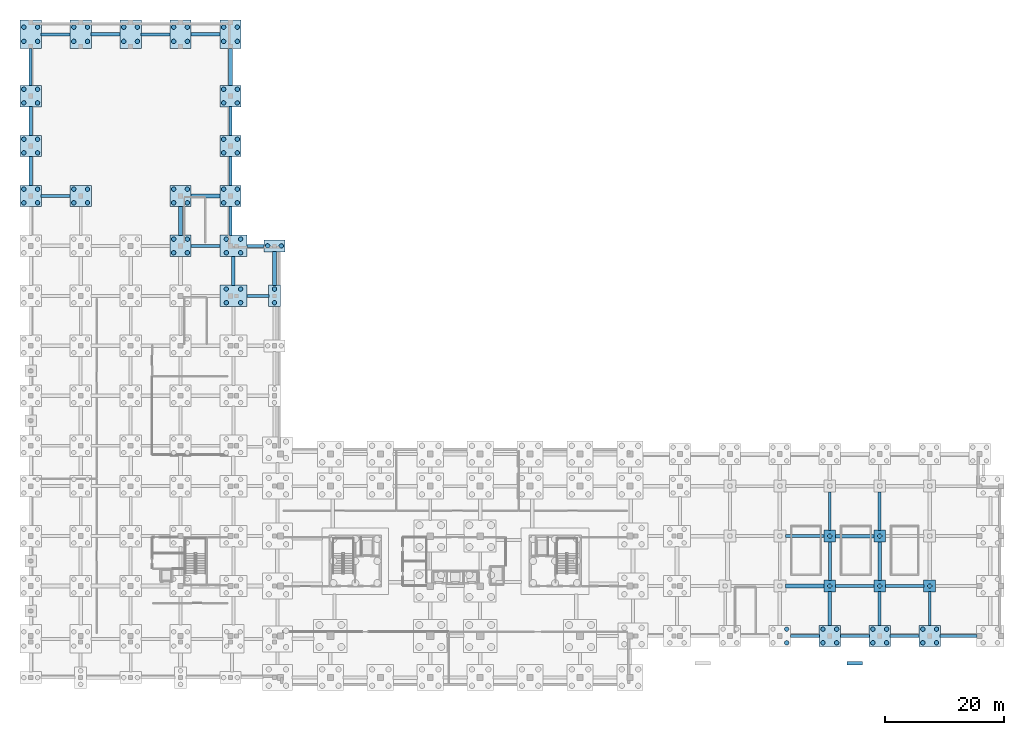
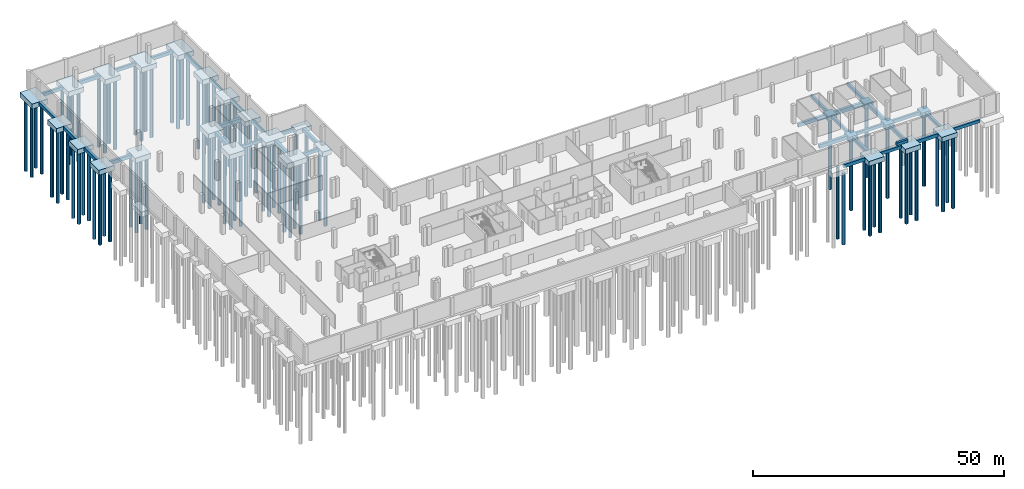
# One storey, part 6 of 17: 87 piles, 62 footings.
"""IFC4 building model written with IfcOpenShell, lengths in metres."""

import ifcopenshell
import ifcopenshell.guid

model = None  # the IFC model being written
_history = None  # IfcOwnerHistory: only IFC2X3 demands one
_inside = {}  # id of a spatial element -> (the spatial element, [elements in it])
_under = {}  # id of a project, library or spatial element -> (it, [spatial elements below it])
_declared = {}  # id of a project -> (the project, [libraries it declares])
_typed = {}  # id of a type object -> (the type object, [elements of that type])
_made_of = {}  # id of a material, layer set ... -> (it, [elements and type objects made of it])


def new_model(schema):
    """Start an empty IFC model of exactly this schema.

    Asked for "IFC4X3", IfcOpenShell would pick the latest addendum, in which some entities
    have other attributes; the version numbers below select the first issue.
    IFC2X3 requires an IfcOwnerHistory on every rooted entity: one is made here for all.
    """
    global model, _history
    if schema == "IFC4X3":
        model = ifcopenshell.file(schema_version=(4, 3, 0, 0))
    else:
        model = ifcopenshell.file(schema=schema)
    _inside.clear()
    _under.clear()
    _declared.clear()
    _typed.clear()
    _made_of.clear()
    _history = None
    if model.schema == "IFC2X3":
        org = make("IfcOrganization", Name="unknown")
        user = make(
            "IfcPersonAndOrganization",
            ThePerson=make("IfcPerson", FamilyName="unknown"),
            TheOrganization=org,
        )
        app = make(
            "IfcApplication",
            ApplicationDeveloper=org,
            Version="unknown",
            ApplicationFullName="unknown",
            ApplicationIdentifier="unknown",
        )
        _history = make(
            "IfcOwnerHistory",
            OwningUser=user,
            OwningApplication=app,
            ChangeAction="ADDED",
            CreationDate=0,
        )
    return model


def make(cls, **values):
    """One entity of the class cls with the attributes given. An attribute that is None is left unset."""
    return model.create_entity(
        cls, **{name: value for name, value in values.items() if value is not None}
    )


def rooted(cls, **values):
    """An entity with a GlobalId (a new one), such as an element, a storey or a relation."""
    return make(cls, GlobalId=ifcopenshell.guid.new(), OwnerHistory=_history, **values)


def si_unit(unit_type, name, prefix=None):
    """IfcSIUnit, for example si_unit("LENGTHUNIT", "METRE", prefix="MILLI")."""
    return make("IfcSIUnit", UnitType=unit_type, Prefix=prefix, Name=name)


def assignment(units):
    """IfcUnitAssignment: the units of a project."""
    return None if units is None else make("IfcUnitAssignment", Units=units)


def point(xyz):
    """IfcCartesianPoint."""
    return None if xyz is None else make("IfcCartesianPoint", Coordinates=xyz)


def direction(xyz):
    """IfcDirection."""
    return None if xyz is None else make("IfcDirection", DirectionRatios=xyz)


def frame(location, z_axis=None, x_axis=None):
    """IfcAxis2Placement3D, a coordinate frame: its origin and axes. An axis left out is left unset."""
    return make(
        "IfcAxis2Placement3D",
        Location=point(location),
        Axis=direction(z_axis),
        RefDirection=direction(x_axis),
    )


def frame_2d(location, x_axis=None):
    """IfcAxis2Placement2D, a coordinate frame in the plane: its origin and x axis."""
    return make(
        "IfcAxis2Placement2D", Location=point(location), RefDirection=direction(x_axis)
    )


def origin():
    """The frame at (0, 0, 0) with its axes left unset."""
    return frame((0.0, 0.0, 0.0))


def origin_2d():
    """The frame at (0, 0) in the plane with its x axis left unset."""
    return frame_2d((0.0, 0.0))


def place(relative_to, where):
    """IfcLocalPlacement: puts the frame where relative to a parent placement (None: the world)."""
    return make(
        "IfcLocalPlacement", PlacementRelTo=relative_to, RelativePlacement=where
    )


def context(
    kind, dimensions, precision=None, world=None, true_north=None, identifier=None
):
    """IfcGeometricRepresentationContext, for example the 3D "Model" context."""
    return make(
        "IfcGeometricRepresentationContext",
        ContextIdentifier=identifier,
        ContextType=kind,
        CoordinateSpaceDimension=dimensions,
        Precision=precision,
        WorldCoordinateSystem=world,
        TrueNorth=true_north,
    )


def subcontext(parent, identifier, kind, view, scale=None):
    """IfcGeometricRepresentationSubContext, for example "Body" below "Model"."""
    return make(
        "IfcGeometricRepresentationSubContext",
        ContextIdentifier=identifier,
        ContextType=kind,
        ParentContext=parent,
        TargetScale=scale,
        TargetView=view,
    )


def project(units=None, contexts=None):
    """IfcProject with its units and contexts."""
    return rooted(
        "IfcProject",
        Name="project",
        RepresentationContexts=contexts,
        UnitsInContext=assignment(units),
    )


def spatial(cls, under=None, at=None, **own):
    """A site, building, storey or space (cls), placed at a placement, below another one or the project."""
    s = rooted(cls, ObjectPlacement=at, **own)
    if under is not None:
        _under.setdefault(under.id(), (under, []))[1].append(s)
    return s


def polyline(points):
    """IfcPolyline through the points."""
    return make("IfcPolyline", Points=[point(p) for p in points])


def profile(cls, at=None, kind="AREA", **sizes):
    """A parametric profile (cls). Its sizes go by their IFC names, for example OverallWidth=200.0."""
    return make(cls, ProfileType=kind, Position=at, **sizes)


def rectangle(**sizes):
    """IfcRectangleProfileDef."""
    return profile("IfcRectangleProfileDef", **sizes)


def circle(**sizes):
    """IfcCircleProfileDef."""
    return profile("IfcCircleProfileDef", **sizes)


def outline(outer, holes=None, kind="AREA"):
    """IfcArbitraryClosedProfileDef: a profile drawn as a closed curve; with holes, ...WithVoids."""
    if holes is None:
        return make("IfcArbitraryClosedProfileDef", ProfileType=kind, OuterCurve=outer)
    return make(
        "IfcArbitraryProfileDefWithVoids",
        ProfileType=kind,
        OuterCurve=outer,
        InnerCurves=holes,
    )


def extrude(swept, where, along, depth):
    """IfcExtrudedAreaSolid: the profile swept, set in the frame where, extruded along a direction by depth."""
    return make(
        "IfcExtrudedAreaSolid",
        SweptArea=swept,
        Position=where,
        ExtrudedDirection=direction(along),
        Depth=depth,
    )


def shape(context_of_items, identifier, shape_type, items):
    """IfcShapeRepresentation: the items that make up one representation, for example the "Body"."""
    return make(
        "IfcShapeRepresentation",
        ContextOfItems=context_of_items,
        RepresentationIdentifier=identifier,
        RepresentationType=shape_type,
        Items=items,
    )


def material(Name=None, Category=None):
    """IfcMaterial."""
    return make("IfcMaterial", Name=Name, Category=Category)


def material_profile(
    of_material, cross_section, Name=None, Category=None, Priority=None
):
    """IfcMaterialProfile: a cross section and its material."""
    return make(
        "IfcMaterialProfile",
        Name=Name,
        Material=of_material,
        Profile=cross_section,
        Priority=Priority,
        Category=Category,
    )


def profile_set(profiles, Name=None, composite=None):
    """IfcMaterialProfileSet."""
    return make(
        "IfcMaterialProfileSet",
        Name=Name,
        MaterialProfiles=profiles,
        CompositeProfile=composite,
    )


def made_of(thing, what):
    """Note that an element or type object is made of a material, layer set ...; save() writes the relation."""
    if what is not None:
        _made_of.setdefault(what.id(), (what, []))[1].append(thing)
    return thing


def type_object(cls, material=None, **own):
    """A type object (cls), such as IfcWallType, which elements share."""
    return made_of(rooted(cls, **own), material)


def element(
    cls,
    number,
    at=None,
    inside=None,
    cuts=None,
    type_object=None,
    material=None,
    context=None,
    identifier="Body",
    shape_type=None,
    held_by="IfcProductDefinitionShape",
    body=None,
    shapes=None,
    **own,
):
    """One element of the class cls, such as IfcWall. Its Tag is "e" and its number.

    at: its placement. inside: the storey or other place that contains it. cuts: it is an
    opening in that element (IfcRelVoidsElement). A single representation is given by context,
    identifier, shape_type and body (its items); several are given by shapes. held_by: the class
    of the entity that holds the representations. save() writes the other relations.
    """
    e = rooted(cls, Tag="e%d" % number, ObjectPlacement=at, **own)
    if body is not None:
        shapes = [shape(context, identifier, shape_type, body)]
    if shapes is not None:
        e.Representation = make(held_by, Representations=shapes)
    if inside is not None:
        _inside.setdefault(inside.id(), (inside, []))[1].append(e)
    if cuts is not None:
        rooted(
            "IfcRelVoidsElement", RelatingBuildingElement=cuts, RelatedOpeningElement=e
        )
    if type_object is not None:
        _typed.setdefault(type_object.id(), (type_object, []))[1].append(e)
    return made_of(e, material)


def aggregate(whole, parts):
    """IfcRelAggregates: a whole, such as a stair, and the parts it consists of."""
    return rooted("IfcRelAggregates", RelatingObject=whole, RelatedObjects=parts)


def save(model, path):
    """Write the relations noted so far, then the file.

    IfcRelAggregates (storeys below a building ...), IfcRelContainedInSpatialStructure (elements
    in a storey), IfcRelDefinesByType, IfcRelAssociatesMaterial and IfcRelDeclares: one each for
    every whole, place, type object, material and project.
    """
    for whole, parts in _under.values():
        aggregate(whole, parts)
    for where, things in _inside.values():
        rooted(
            "IfcRelContainedInSpatialStructure",
            RelatedElements=things,
            RelatingStructure=where,
        )
    for kind, things in _typed.values():
        rooted("IfcRelDefinesByType", RelatedObjects=things, RelatingType=kind)
    for what, things in _made_of.values():
        rooted("IfcRelAssociatesMaterial", RelatedObjects=things, RelatingMaterial=what)
    for by, libraries in _declared.values():
        rooted("IfcRelDeclares", RelatingContext=by, RelatedDefinitions=libraries)
    model.write(path)


model = new_model("IFC4")

# Units and contexts
model_context = context("Model", 3, precision=1e-05, world=origin(), true_north=direction((0.0, 1.0)))
body_context = subcontext(model_context, "Body", "Model", "MODEL_VIEW")
ifc_project = project(units=[si_unit("LENGTHUNIT", "METRE"), si_unit("AREAUNIT", "SQUARE_METRE"), si_unit("VOLUMEUNIT", "CUBIC_METRE"), si_unit("PLANEANGLEUNIT", "RADIAN"), si_unit("MASSUNIT", "GRAM", prefix="KILO")], contexts=[model_context])

# Site, building, storey
site_placement = place(None, origin())
site = spatial("IfcSite", under=ifc_project, at=site_placement, CompositionType="ELEMENT")
building_placement = place(site_placement, origin())
building = spatial("IfcBuilding", under=site, at=building_placement, Name="Telukmera Botanical Conservatory", CompositionType="ELEMENT")
storey_placement = place(building_placement, frame((0.0, 0.0, -4.5)))
storey = spatial("IfcBuildingStorey", under=building, at=storey_placement, Name="B1", CompositionType="ELEMENT", Elevation=-4.5)

# Footings
ifc_material_1 = material(Name="Concrete C50/60", Category="concrete")
footing_type_1 = type_object("IfcFootingType", Name="Cap_PC1", PredefinedType="PILE_CAP", material=ifc_material_1)
for number, where, z_axis, x_axis, name in (
    (1, (142.800048828125, 26.0, -1.64990234375), (0.0, 0.0, 1.0), (1.0, 0.0, 0.0), "Pile Cap G065"),
    (2, (142.800048828125, 34.39990234375, -1.64990234375), (0.0, 0.0, 1.0), (1.0, 0.0, 0.0), "Pile Cap G066"),
    (3, (151.199951171875, 26.0, -1.64990234375), (0.0, 0.0, 1.0), (1.0, 0.0, 0.0), "Pile Cap G068"),
    (4, (151.199951171875, 34.39990234375, -1.64990234375), (0.0, 0.0, 1.0), (1.0, 0.0, 0.0), "Pile Cap G069"),
    (5, (159.60009765625, 26.0, -1.64990234375), (0.0, 0.0, 1.0), (1.0, 0.0, 0.0), "Pile Cap G071"),
):
    element("IfcFooting", number, at=place(storey_placement, frame(where, z_axis=z_axis, x_axis=x_axis)), inside=storey, type_object=footing_type_1, Name=name, PredefinedType="PILE_CAP", context=body_context, shape_type="SweptSolid", body=[
        extrude(rectangle(XDim=2.0, YDim=2.0, at=origin_2d()), origin(), (0.0, 0.0, 1.0), 1.199951171875),
    ])
footing_type_2 = type_object("IfcFootingType", Name="Cap_PC2", PredefinedType="PILE_CAP", material=ifc_material_1)
footing_1_placement = place(storey_placement, frame((49.39990234375, 83.199951171875, -1.64990234375), z_axis=(0.0, 0.0, 1.0), x_axis=(1.0, 0.0, 0.0)))
element("IfcFooting", 6, at=footing_1_placement, inside=storey, type_object=footing_type_2, Name="Pile Cap G144", PredefinedType="PILE_CAP", context=body_context, shape_type="SweptSolid", body=[
    extrude(rectangle(XDim=3.60009765625, YDim=2.0, at=origin_2d()), origin(), (0.0, 0.0, 1.0), 1.199951171875),
])
footing_type_3 = type_object("IfcFootingType", Name="Cap_PC3", PredefinedType="PILE_CAP", material=ifc_material_1)
footing_2_placement = place(storey_placement, frame((49.39990234375, 74.800048828125, -1.64990234375), z_axis=(0.0, 0.0, 1.0), x_axis=(1.0, 0.0, 0.0)))
element("IfcFooting", 7, at=footing_2_placement, inside=storey, type_object=footing_type_3, Name="Pile Cap G143", PredefinedType="PILE_CAP", context=body_context, shape_type="SweptSolid", body=[
    extrude(rectangle(XDim=2.0, YDim=3.60009765625, at=origin_2d()), origin(), (0.0, 0.0, 1.0), 1.199951171875),
])
footing_type_4 = type_object("IfcFootingType", Name="Cap_PC4", PredefinedType="PILE_CAP", material=ifc_material_1)
for number, where, z_axis, x_axis, name in (
    (8, (142.800048828125, 17.60009765625, -1.64990234375), (0.0, 0.0, 1.0), (1.0, 0.0, 0.0), "Pile Cap G048"),
    (9, (151.199951171875, 17.60009765625, -1.64990234375), (0.0, 0.0, 1.0), (1.0, 0.0, 0.0), "Pile Cap G050"),
    (10, (159.60009765625, 17.60009765625, -1.64990234375), (0.0, 0.0, 1.0), (1.0, 0.0, 0.0), "Pile Cap G052"),
    (11, (8.39990234375, 91.60009765625, -1.64990234375), (0.0, 0.0, 1.0), (1.0, 0.0, 0.0), "Pile Cap G075"),
    (12, (8.39990234375, 100.0, -1.64990234375), (0.0, 0.0, 1.0), (1.0, 0.0, 0.0), "Pile Cap G076"),
    (13, (8.39990234375, 108.39990234375, -1.64990234375), (0.0, 0.0, 1.0), (1.0, 0.0, 0.0), "Pile Cap G077"),
    (14, (16.800048828125, 91.60009765625, -1.64990234375), (0.0, 0.0, 1.0), (1.0, 0.0, 0.0), "Pile Cap G080"),
    (15, (33.60009765625, 83.199951171875, -1.64990234375), (0.0, 0.0, 1.0), (1.0, 0.0, 0.0), "Pile Cap G084"),
    (16, (33.60009765625, 91.60009765625, -1.64990234375), (0.0, 0.0, 1.0), (1.0, 0.0, 0.0), "Pile Cap G085"),
    (17, (42.0, 91.60009765625, -1.64990234375), (0.0, 0.0, 1.0), (1.0, 0.0, 0.0), "Pile Cap G088"),
    (18, (42.0, 100.0, -1.64990234375), (0.0, 0.0, 1.0), (1.0, 0.0, 0.0), "Pile Cap G089"),
    (19, (42.0, 108.39990234375, -1.64990234375), (0.0, 0.0, 1.0), (1.0, 0.0, 0.0), "Pile Cap G090"),
):
    element("IfcFooting", number, at=place(storey_placement, frame(where, z_axis=z_axis, x_axis=x_axis)), inside=storey, type_object=footing_type_4, Name=name, PredefinedType="PILE_CAP", context=body_context, shape_type="SweptSolid", body=[
        extrude(rectangle(XDim=3.60009765625, YDim=3.60009765625, at=origin_2d()), origin(), (0.0, 0.0, 1.0), 1.199951171875),
    ])
footing_type_5 = type_object("IfcFootingType", Name="Cap_PC5", PredefinedType="PILE_CAP", material=ifc_material_1)
for number, where, z_axis, x_axis, name in (
    (20, (42.5, 83.199951171875, -1.64990234375), (0.0, 0.0, 1.0), (1.0, 0.0, 0.0), "Pile Cap G087"),
    (21, (42.5, 74.800048828125, -1.64990234375), (0.0, 0.0, 1.0), (1.0, 0.0, 0.0), "Pile Cap G131"),
):
    element("IfcFooting", number, at=place(storey_placement, frame(where, z_axis=z_axis, x_axis=x_axis)), inside=storey, type_object=footing_type_5, Name=name, PredefinedType="PILE_CAP", context=body_context, shape_type="SweptSolid", body=[
        extrude(rectangle(XDim=4.60009765625, YDim=3.60009765625, at=origin_2d()), origin(), (0.0, 0.0, 1.0), 1.199951171875),
    ])
footing_type_6 = type_object("IfcFootingType", Name="Cap_PC6", PredefinedType="PILE_CAP", material=ifc_material_1)
for number, where, z_axis, x_axis, name in (
    (22, (8.39990234375, 118.800048828125, -1.64990234375), (0.0, 0.0, 1.0), (1.0, 0.0, 0.0), "Pile Cap G078"),
    (23, (16.800048828125, 118.800048828125, -1.64990234375), (0.0, 0.0, 1.0), (1.0, 0.0, 0.0), "Pile Cap G081"),
    (24, (25.199951171875, 118.800048828125, -1.64990234375), (0.0, 0.0, 1.0), (1.0, 0.0, 0.0), "Pile Cap G083"),
    (25, (33.60009765625, 118.800048828125, -1.64990234375), (0.0, 0.0, 1.0), (1.0, 0.0, 0.0), "Pile Cap G086"),
    (26, (42.0, 118.800048828125, -1.64990234375), (0.0, 0.0, 1.0), (1.0, 0.0, 0.0), "Pile Cap G091"),
):
    element("IfcFooting", number, at=place(storey_placement, frame(where, z_axis=z_axis, x_axis=x_axis)), inside=storey, type_object=footing_type_6, Name=name, PredefinedType="PILE_CAP", context=body_context, shape_type="SweptSolid", body=[
        extrude(rectangle(XDim=3.60009765625, YDim=4.800048828125, at=origin_2d()), origin(), (0.0, 0.0, 1.0), 1.199951171875),
    ])
ifc_material_2 = material(Name="Concrete C40/50", Category="concrete")
ifc_material_profile_1 = material_profile(ifc_material_2, rectangle(XDim=0.60009765625, YDim=0.89990234375, at=origin_2d()), Name="RC 600x900")
ifc_profile_set_1 = profile_set([ifc_material_profile_1], Name="Concrete C40/50")
footing_type_7 = type_object("IfcFootingType", Name="GroundBeam_GB1", PredefinedType="FOOTING_BEAM", material=ifc_profile_set_1)
for number, where, z_axis, x_axis, name in (
    (27, (135.360107421875, 26.0, -0.89990234375), (1.0, 0.0, 0.0), (0.0, 1.0, 0.0), "Ground Tie Beam GBX-056"),
    (28, (143.760009765625, 34.39990234375, -0.89990234375), (1.0, 0.0, 0.0), (0.0, 1.0, 0.0), "Ground Tie Beam GBX-060"),
):
    element("IfcFooting", number, at=place(storey_placement, frame(where, z_axis=z_axis, x_axis=x_axis)), inside=storey, type_object=footing_type_7, Name=name, PredefinedType="FOOTING_BEAM", context=body_context, shape_type="SweptSolid", body=[
        extrude(rectangle(XDim=0.60009765625, YDim=0.89990234375, at=origin_2d()), origin(), (0.0, 0.0, 1.0), 6.47998046875),
    ])
for number, where, z_axis, x_axis, name in (
    (29, (18.56005859375, 118.800048828125, -0.89990234375), (1.0, 0.0, 0.0), (0.0, 1.0, 0.0), "Ground Tie Beam GBX-072"),
    (30, (35.360107421875, 91.60009765625, -0.89990234375), (1.0, 0.0, 0.0), (0.0, 1.0, 0.0), "Ground Tie Beam GBX-076"),
    (31, (8.39990234375, 93.360107421875, -0.89990234375), (0.0, 1.0, 0.0), (-1.0, 0.0, 0.0), "Ground Tie Beam GBY-184"),
):
    element("IfcFooting", number, at=place(storey_placement, frame(where, z_axis=z_axis, x_axis=x_axis)), inside=storey, type_object=footing_type_7, Name=name, PredefinedType="FOOTING_BEAM", context=body_context, shape_type="SweptSolid", body=[
        extrude(rectangle(XDim=0.60009765625, YDim=0.89990234375, at=origin_2d()), origin(), (0.0, 0.0, 1.0), 4.8798828125),
    ])
footing_3_placement = place(storey_placement, frame((33.60009765625, 84.9599609375, -0.89990234375), z_axis=(0.0, 1.0, 0.0), x_axis=(-1.0, 0.0, 0.0)))
element("IfcFooting", 32, at=footing_3_placement, inside=storey, type_object=footing_type_7, Name="Ground Tie Beam GBY-188", PredefinedType="FOOTING_BEAM", context=body_context, shape_type="SweptSolid", body=[
    extrude(rectangle(XDim=0.60009765625, YDim=0.89990234375, at=origin_2d()), origin(), (0.0, 0.0, 1.0), 4.880126953125),
])
footing_4_placement = place(storey_placement, frame((42.0, 110.159912109375, -0.89990234375), z_axis=(0.0, 1.0, 0.0), x_axis=(-1.0, 0.0, 0.0)))
element("IfcFooting", 33, at=footing_4_placement, inside=storey, type_object=footing_type_7, Name="Ground Tie Beam GBY-192", PredefinedType="FOOTING_BEAM", context=body_context, shape_type="SweptSolid", body=[
    extrude(rectangle(XDim=0.60009765625, YDim=0.89990234375, at=origin_2d()), origin(), (0.0, 0.0, 1.0), 6.280029296875),
])
footing_5_placement = place(storey_placement, frame((42.5, 76.56005859375, -0.89990234375), z_axis=(0.0, 1.0, 0.0), x_axis=(-1.0, 0.0, 0.0)))
element("IfcFooting", 34, at=footing_5_placement, inside=storey, type_object=footing_type_7, Name="Ground Tie Beam GBY-232", PredefinedType="FOOTING_BEAM", context=body_context, shape_type="SweptSolid", body=[
    extrude(rectangle(XDim=0.60009765625, YDim=0.89990234375, at=origin_2d()), origin(), (0.0, 0.0, 1.0), 4.8798828125),
])
footing_6_placement = place(storey_placement, frame((49.39990234375, 76.56005859375, -0.89990234375), z_axis=(0.0, 1.0, 0.0), x_axis=(-1.0, 0.0, 0.0)))
element("IfcFooting", 35, at=footing_6_placement, inside=storey, type_object=footing_type_7, Name="Ground Tie Beam GBY-244", PredefinedType="FOOTING_BEAM", context=body_context, shape_type="SweptSolid", body=[
    extrude(rectangle(XDim=0.60009765625, YDim=0.89990234375, at=origin_2d()), origin(), (0.0, 0.0, 1.0), 5.679931640625),
])
ifc_material_profile_2 = material_profile(ifc_material_2, rectangle(XDim=0.550048828125, YDim=0.85009765625, at=origin_2d()), Name="RC 550x850")
ifc_profile_set_2 = profile_set([ifc_material_profile_2], Name="Concrete C40/50")
footing_type_8 = type_object("IfcFootingType", Name="GroundBeam_GB2", PredefinedType="FOOTING_BEAM", material=ifc_profile_set_2)
for number, where, z_axis, x_axis, name in (
    (36, (136.159912109375, 17.60009765625, -0.875), (1.0, 0.0, 0.0), (0.0, 1.0, 0.0), "Ground Tie Beam GBX-045"),
    (37, (152.9599609375, 17.60009765625, -0.875), (1.0, 0.0, 0.0), (0.0, 1.0, 0.0), "Ground Tie Beam GBX-049"),
):
    element("IfcFooting", number, at=place(storey_placement, frame(where, z_axis=z_axis, x_axis=x_axis)), inside=storey, type_object=footing_type_8, Name=name, PredefinedType="FOOTING_BEAM", context=body_context, shape_type="SweptSolid", body=[
        extrude(rectangle(XDim=0.550048828125, YDim=0.85009765625, at=origin_2d()), origin(), (0.0, 0.0, 1.0), 4.880126953125),
    ])
footing_7_placement = place(storey_placement, frame((135.360107421875, 34.39990234375, -0.875), z_axis=(1.0, 0.0, 0.0), x_axis=(0.0, 1.0, 0.0)))
element("IfcFooting", 38, at=footing_7_placement, inside=storey, type_object=footing_type_8, Name="Ground Tie Beam GBX-057", PredefinedType="FOOTING_BEAM", context=body_context, shape_type="SweptSolid", body=[
    extrude(rectangle(XDim=0.550048828125, YDim=0.85009765625, at=origin_2d()), origin(), (0.0, 0.0, 1.0), 6.47998046875),
])
footing_8_placement = place(storey_placement, frame((10.159912109375, 91.60009765625, -0.875), z_axis=(1.0, 0.0, 0.0), x_axis=(0.0, 1.0, 0.0)))
element("IfcFooting", 39, at=footing_8_placement, inside=storey, type_object=footing_type_8, Name="Ground Tie Beam GBX-069", PredefinedType="FOOTING_BEAM", context=body_context, shape_type="SweptSolid", body=[
    extrude(rectangle(XDim=0.550048828125, YDim=0.85009765625, at=origin_2d()), origin(), (0.0, 0.0, 1.0), 4.880126953125),
])
footing_9_placement = place(storey_placement, frame((35.360107421875, 118.800048828125, -0.875), z_axis=(1.0, 0.0, 0.0), x_axis=(0.0, 1.0, 0.0)))
element("IfcFooting", 40, at=footing_9_placement, inside=storey, type_object=footing_type_8, Name="Ground Tie Beam GBX-077", PredefinedType="FOOTING_BEAM", context=body_context, shape_type="SweptSolid", body=[
    extrude(rectangle(XDim=0.550048828125, YDim=0.85009765625, at=origin_2d()), origin(), (0.0, 0.0, 1.0), 4.8798828125),
])
footing_10_placement = place(storey_placement, frame((142.800048828125, 19.360107421875, -0.875), z_axis=(0.0, 1.0, 0.0), x_axis=(-1.0, 0.0, 0.0)))
element("IfcFooting", 41, at=footing_10_placement, inside=storey, type_object=footing_type_8, Name="Ground Tie Beam GBY-161", PredefinedType="FOOTING_BEAM", context=body_context, shape_type="SweptSolid", body=[
    extrude(rectangle(XDim=0.550048828125, YDim=0.85009765625, at=origin_2d()), origin(), (0.0, 0.0, 1.0), 5.679931640625),
])
footing_11_placement = place(storey_placement, frame((151.199951171875, 26.9599609375, -0.875), z_axis=(0.0, 1.0, 0.0), x_axis=(-1.0, 0.0, 0.0)))
element("IfcFooting", 42, at=footing_11_placement, inside=storey, type_object=footing_type_8, Name="Ground Tie Beam GBY-177", PredefinedType="FOOTING_BEAM", context=body_context, shape_type="SweptSolid", body=[
    extrude(rectangle(XDim=0.550048828125, YDim=0.85009765625, at=origin_2d()), origin(), (0.0, 0.0, 1.0), 6.47998046875),
])
footing_12_placement = place(storey_placement, frame((8.39990234375, 101.760009765625, -0.875), z_axis=(0.0, 1.0, 0.0), x_axis=(-1.0, 0.0, 0.0)))
element("IfcFooting", 43, at=footing_12_placement, inside=storey, type_object=footing_type_8, Name="Ground Tie Beam GBY-185", PredefinedType="FOOTING_BEAM", context=body_context, shape_type="SweptSolid", body=[
    extrude(rectangle(XDim=0.550048828125, YDim=0.85009765625, at=origin_2d()), origin(), (0.0, 0.0, 1.0), 4.8798828125),
])
footing_13_placement = place(storey_placement, frame((42.0, 84.9599609375, -0.875), z_axis=(0.0, 1.0, 0.0), x_axis=(-1.0, 0.0, 0.0)))
element("IfcFooting", 44, at=footing_13_placement, inside=storey, type_object=footing_type_8, Name="Ground Tie Beam GBY-189", PredefinedType="FOOTING_BEAM", context=body_context, shape_type="SweptSolid", body=[
    extrude(rectangle(XDim=0.550048828125, YDim=0.85009765625, at=origin_2d()), origin(), (0.0, 0.0, 1.0), 4.880126953125),
])
ifc_material_profile_3 = material_profile(ifc_material_2, rectangle(XDim=0.5, YDim=0.800048828125, at=origin_2d()), Name="RC 500x800")
ifc_profile_set_3 = profile_set([ifc_material_profile_3], Name="Concrete C40/50")
footing_type_9 = type_object("IfcFootingType", Name="GroundBeam_GB3", PredefinedType="FOOTING_BEAM", material=ifc_profile_set_3)
footing_14_placement = place(storey_placement, frame((152.159912109375, 26.0, -0.85009765625), z_axis=(1.0, 0.0, 0.0), x_axis=(0.0, 1.0, 0.0)))
element("IfcFooting", 45, at=footing_14_placement, inside=storey, type_object=footing_type_9, Name="Ground Tie Beam GBX-062", PredefinedType="FOOTING_BEAM", context=body_context, shape_type="SweptSolid", body=[
    extrude(rectangle(XDim=0.5, YDim=0.800048828125, at=origin_2d()), origin(), (0.0, 0.0, 1.0), 6.47998046875),
])
for number, where, z_axis, x_axis, name in (
    (46, (10.159912109375, 118.800048828125, -0.85009765625), (1.0, 0.0, 0.0), (0.0, 1.0, 0.0), "Ground Tie Beam GBX-070"),
    (47, (26.9599609375, 118.800048828125, -0.85009765625), (1.0, 0.0, 0.0), (0.0, 1.0, 0.0), "Ground Tie Beam GBX-074"),
):
    element("IfcFooting", number, at=place(storey_placement, frame(where, z_axis=z_axis, x_axis=x_axis)), inside=storey, type_object=footing_type_9, Name=name, PredefinedType="FOOTING_BEAM", context=body_context, shape_type="SweptSolid", body=[
        extrude(rectangle(XDim=0.5, YDim=0.800048828125, at=origin_2d()), origin(), (0.0, 0.0, 1.0), 4.880126953125),
    ])
footing_15_placement = place(storey_placement, frame((44.760009765625, 83.199951171875, -0.85009765625), z_axis=(1.0, 0.0, 0.0), x_axis=(0.0, 1.0, 0.0)))
element("IfcFooting", 48, at=footing_15_placement, inside=storey, type_object=footing_type_9, Name="Ground Tie Beam GBX-078", PredefinedType="FOOTING_BEAM", context=body_context, shape_type="SweptSolid", body=[
    extrude(rectangle(XDim=0.5, YDim=0.800048828125, at=origin_2d()), origin(), (0.0, 0.0, 1.0), 2.8798828125),
])
footing_16_placement = place(storey_placement, frame((44.760009765625, 74.800048828125, -0.85009765625), z_axis=(1.0, 0.0, 0.0), x_axis=(0.0, 1.0, 0.0)))
element("IfcFooting", 49, at=footing_16_placement, inside=storey, type_object=footing_type_9, Name="Ground Tie Beam GBX-118", PredefinedType="FOOTING_BEAM", context=body_context, shape_type="SweptSolid", body=[
    extrude(rectangle(XDim=0.5, YDim=0.800048828125, at=origin_2d()), origin(), (0.0, 0.0, 1.0), 3.679931640625),
])
footing_17_placement = place(storey_placement, frame((151.199951171875, 19.360107421875, -0.85009765625), z_axis=(0.0, 1.0, 0.0), x_axis=(-1.0, 0.0, 0.0)))
element("IfcFooting", 50, at=footing_17_placement, inside=storey, type_object=footing_type_9, Name="Ground Tie Beam GBY-162", PredefinedType="FOOTING_BEAM", context=body_context, shape_type="SweptSolid", body=[
    extrude(rectangle(XDim=0.5, YDim=0.800048828125, at=origin_2d()), origin(), (0.0, 0.0, 1.0), 5.679931640625),
])
for number, where, z_axis, x_axis, name in (
    (51, (142.800048828125, 26.9599609375, -0.85009765625), (0.0, 1.0, 0.0), (-1.0, 0.0, 0.0), "Ground Tie Beam GBY-174"),
    (52, (151.199951171875, 35.360107421875, -0.85009765625), (0.0, 1.0, 0.0), (-1.0, 0.0, 0.0), "Ground Tie Beam GBY-178"),
):
    element("IfcFooting", number, at=place(storey_placement, frame(where, z_axis=z_axis, x_axis=x_axis)), inside=storey, type_object=footing_type_9, Name=name, PredefinedType="FOOTING_BEAM", context=body_context, shape_type="SweptSolid", body=[
        extrude(rectangle(XDim=0.5, YDim=0.800048828125, at=origin_2d()), origin(), (0.0, 0.0, 1.0), 6.47998046875),
    ])
footing_18_placement = place(storey_placement, frame((8.39990234375, 110.159912109375, -0.85009765625), z_axis=(0.0, 1.0, 0.0), x_axis=(-1.0, 0.0, 0.0)))
element("IfcFooting", 53, at=footing_18_placement, inside=storey, type_object=footing_type_9, Name="Ground Tie Beam GBY-186", PredefinedType="FOOTING_BEAM", context=body_context, shape_type="SweptSolid", body=[
    extrude(rectangle(XDim=0.5, YDim=0.800048828125, at=origin_2d()), origin(), (0.0, 0.0, 1.0), 6.280029296875),
])
footing_19_placement = place(storey_placement, frame((42.0, 93.360107421875, -0.85009765625), z_axis=(0.0, 1.0, 0.0), x_axis=(-1.0, 0.0, 0.0)))
element("IfcFooting", 54, at=footing_19_placement, inside=storey, type_object=footing_type_9, Name="Ground Tie Beam GBY-190", PredefinedType="FOOTING_BEAM", context=body_context, shape_type="SweptSolid", body=[
    extrude(rectangle(XDim=0.5, YDim=0.800048828125, at=origin_2d()), origin(), (0.0, 0.0, 1.0), 4.8798828125),
])
ifc_material_profile_4 = material_profile(ifc_material_2, rectangle(XDim=0.449951171875, YDim=0.75, at=origin_2d()), Name="RC 450x750")
ifc_profile_set_4 = profile_set([ifc_material_profile_4], Name="Concrete C40/50")
footing_type_10 = type_object("IfcFootingType", Name="GroundBeam_GB4", PredefinedType="FOOTING_BEAM", material=ifc_profile_set_4)
footing_20_placement = place(storey_placement, frame((144.56005859375, 17.60009765625, -0.824951171875), z_axis=(1.0, 0.0, 0.0), x_axis=(0.0, 1.0, 0.0)))
element("IfcFooting", 55, at=footing_20_placement, inside=storey, type_object=footing_type_10, Name="Ground Tie Beam GBX-047", PredefinedType="FOOTING_BEAM", context=body_context, shape_type="SweptSolid", body=[
    extrude(rectangle(XDim=0.449951171875, YDim=0.75, at=origin_2d()), origin(), (0.0, 0.0, 1.0), 4.8798828125),
])
footing_21_placement = place(storey_placement, frame((161.360107421875, 17.60009765625, -0.824951171875), z_axis=(1.0, 0.0, 0.0), x_axis=(0.0, 1.0, 0.0)))
element("IfcFooting", 56, at=footing_21_placement, inside=storey, type_object=footing_type_10, Name="Ground Tie Beam GBX-051", PredefinedType="FOOTING_BEAM", context=body_context, shape_type="SweptSolid", body=[
    extrude(rectangle(XDim=0.449951171875, YDim=0.75, at=origin_2d()), origin(), (0.0, 0.0, 1.0), 6.179931640625),
])
footing_22_placement = place(storey_placement, frame((143.760009765625, 26.0, -0.824951171875), z_axis=(1.0, 0.0, 0.0), x_axis=(0.0, 1.0, 0.0)))
element("IfcFooting", 57, at=footing_22_placement, inside=storey, type_object=footing_type_10, Name="Ground Tie Beam GBX-059", PredefinedType="FOOTING_BEAM", context=body_context, shape_type="SweptSolid", body=[
    extrude(rectangle(XDim=0.449951171875, YDim=0.75, at=origin_2d()), origin(), (0.0, 0.0, 1.0), 6.47998046875),
])
footing_23_placement = place(storey_placement, frame((35.360107421875, 83.199951171875, -0.824951171875), z_axis=(1.0, 0.0, 0.0), x_axis=(0.0, 1.0, 0.0)))
element("IfcFooting", 58, at=footing_23_placement, inside=storey, type_object=footing_type_10, Name="Ground Tie Beam GBX-075", PredefinedType="FOOTING_BEAM", context=body_context, shape_type="SweptSolid", body=[
    extrude(rectangle(XDim=0.449951171875, YDim=0.75, at=origin_2d()), origin(), (0.0, 0.0, 1.0), 4.8798828125),
])
footing_24_placement = place(storey_placement, frame((159.60009765625, 19.360107421875, -0.824951171875), z_axis=(0.0, 1.0, 0.0), x_axis=(-1.0, 0.0, 0.0)))
element("IfcFooting", 59, at=footing_24_placement, inside=storey, type_object=footing_type_10, Name="Ground Tie Beam GBY-163", PredefinedType="FOOTING_BEAM", context=body_context, shape_type="SweptSolid", body=[
    extrude(rectangle(XDim=0.449951171875, YDim=0.75, at=origin_2d()), origin(), (0.0, 0.0, 1.0), 5.679931640625),
])
footing_25_placement = place(storey_placement, frame((142.800048828125, 35.360107421875, -0.824951171875), z_axis=(0.0, 1.0, 0.0), x_axis=(-1.0, 0.0, 0.0)))
element("IfcFooting", 60, at=footing_25_placement, inside=storey, type_object=footing_type_10, Name="Ground Tie Beam GBY-175", PredefinedType="FOOTING_BEAM", context=body_context, shape_type="SweptSolid", body=[
    extrude(rectangle(XDim=0.449951171875, YDim=0.75, at=origin_2d()), origin(), (0.0, 0.0, 1.0), 6.47998046875),
])
footing_26_placement = place(storey_placement, frame((42.0, 101.760009765625, -0.824951171875), z_axis=(0.0, 1.0, 0.0), x_axis=(-1.0, 0.0, 0.0)))
element("IfcFooting", 61, at=footing_26_placement, inside=storey, type_object=footing_type_10, Name="Ground Tie Beam GBY-191", PredefinedType="FOOTING_BEAM", context=body_context, shape_type="SweptSolid", body=[
    extrude(rectangle(XDim=0.449951171875, YDim=0.75, at=origin_2d()), origin(), (0.0, 0.0, 1.0), 4.8798828125),
])

# Piles
ifc_material_profile_5 = material_profile(ifc_material_2, circle(Radius=0.375, at=origin_2d()), Name="PILE D750")
ifc_profile_set_5 = profile_set([ifc_material_profile_5], Name="Concrete C40/50")
pile_type = type_object("IfcPileType", Name="Pile_PL3", PredefinedType="BORED", material=ifc_profile_set_5)
for number, where, z_axis, x_axis, name in (
    (62, (135.550048828125, 16.449951171875, -1.550048828125), (0.0, 0.0, -1.0), (1.0, 0.0, 0.0), "Bored Pile G046-2"),
    (63, (135.550048828125, 18.75, -1.550048828125), (0.0, 0.0, -1.0), (1.0, 0.0, 0.0), "Bored Pile G046-4"),
    (64, (141.64990234375, 16.449951171875, -1.550048828125), (0.0, 0.0, -1.0), (1.0, 0.0, 0.0), "Bored Pile G048-1"),
    (65, (143.949951171875, 16.449951171875, -1.550048828125), (0.0, 0.0, -1.0), (1.0, 0.0, 0.0), "Bored Pile G048-2"),
    (66, (141.64990234375, 18.75, -1.550048828125), (0.0, 0.0, -1.0), (1.0, 0.0, 0.0), "Bored Pile G048-3"),
    (67, (143.949951171875, 18.75, -1.550048828125), (0.0, 0.0, -1.0), (1.0, 0.0, 0.0), "Bored Pile G048-4"),
    (68, (150.050048828125, 16.449951171875, -1.550048828125), (0.0, 0.0, -1.0), (1.0, 0.0, 0.0), "Bored Pile G050-1"),
    (69, (152.35009765625, 16.449951171875, -1.550048828125), (0.0, 0.0, -1.0), (1.0, 0.0, 0.0), "Bored Pile G050-2"),
    (70, (150.050048828125, 18.75, -1.550048828125), (0.0, 0.0, -1.0), (1.0, 0.0, 0.0), "Bored Pile G050-3"),
    (71, (152.35009765625, 18.75, -1.550048828125), (0.0, 0.0, -1.0), (1.0, 0.0, 0.0), "Bored Pile G050-4"),
    (72, (158.449951171875, 16.449951171875, -1.550048828125), (0.0, 0.0, -1.0), (1.0, 0.0, 0.0), "Bored Pile G052-1"),
    (73, (160.75, 16.449951171875, -1.550048828125), (0.0, 0.0, -1.0), (1.0, 0.0, 0.0), "Bored Pile G052-2"),
    (74, (158.449951171875, 18.75, -1.550048828125), (0.0, 0.0, -1.0), (1.0, 0.0, 0.0), "Bored Pile G052-3"),
    (75, (160.75, 18.75, -1.550048828125), (0.0, 0.0, -1.0), (1.0, 0.0, 0.0), "Bored Pile G052-4"),
    (76, (142.800048828125, 26.0, -1.550048828125), (0.0, 0.0, -1.0), (1.0, 0.0, 0.0), "Bored Pile G065-1"),
    (77, (142.800048828125, 34.39990234375, -1.550048828125), (0.0, 0.0, -1.0), (1.0, 0.0, 0.0), "Bored Pile G066-1"),
    (78, (151.199951171875, 26.0, -1.550048828125), (0.0, 0.0, -1.0), (1.0, 0.0, 0.0), "Bored Pile G068-1"),
    (79, (151.199951171875, 34.39990234375, -1.550048828125), (0.0, 0.0, -1.0), (1.0, 0.0, 0.0), "Bored Pile G069-1"),
    (80, (159.60009765625, 26.0, -1.550048828125), (0.0, 0.0, -1.0), (1.0, 0.0, 0.0), "Bored Pile G071-1"),
    (81, (7.25, 90.449951171875, -1.550048828125), (0.0, 0.0, -1.0), (1.0, 0.0, 0.0), "Bored Pile G075-1"),
    (82, (9.550048828125, 90.449951171875, -1.550048828125), (0.0, 0.0, -1.0), (1.0, 0.0, 0.0), "Bored Pile G075-2"),
    (83, (7.25, 92.75, -1.550048828125), (0.0, 0.0, -1.0), (1.0, 0.0, 0.0), "Bored Pile G075-3"),
    (84, (9.550048828125, 92.75, -1.550048828125), (0.0, 0.0, -1.0), (1.0, 0.0, 0.0), "Bored Pile G075-4"),
    (85, (7.25, 98.85009765625, -1.550048828125), (0.0, 0.0, -1.0), (1.0, 0.0, 0.0), "Bored Pile G076-1"),
    (86, (9.550048828125, 98.85009765625, -1.550048828125), (0.0, 0.0, -1.0), (1.0, 0.0, 0.0), "Bored Pile G076-2"),
    (87, (7.25, 101.14990234375, -1.550048828125), (0.0, 0.0, -1.0), (1.0, 0.0, 0.0), "Bored Pile G076-3"),
    (88, (9.550048828125, 101.14990234375, -1.550048828125), (0.0, 0.0, -1.0), (1.0, 0.0, 0.0), "Bored Pile G076-4"),
    (89, (7.25, 107.25, -1.550048828125), (0.0, 0.0, -1.0), (1.0, 0.0, 0.0), "Bored Pile G077-1"),
    (90, (9.550048828125, 107.25, -1.550048828125), (0.0, 0.0, -1.0), (1.0, 0.0, 0.0), "Bored Pile G077-2"),
    (91, (7.25, 109.550048828125, -1.550048828125), (0.0, 0.0, -1.0), (1.0, 0.0, 0.0), "Bored Pile G077-3"),
    (92, (9.550048828125, 109.550048828125, -1.550048828125), (0.0, 0.0, -1.0), (1.0, 0.0, 0.0), "Bored Pile G077-4"),
    (93, (7.25, 117.60009765625, -1.550048828125), (0.0, 0.0, -1.0), (1.0, 0.0, 0.0), "Bored Pile G078-1"),
    (94, (9.550048828125, 117.60009765625, -1.550048828125), (0.0, 0.0, -1.0), (1.0, 0.0, 0.0), "Bored Pile G078-2"),
    (95, (7.25, 120.0, -1.550048828125), (0.0, 0.0, -1.0), (1.0, 0.0, 0.0), "Bored Pile G078-3"),
    (96, (9.550048828125, 120.0, -1.550048828125), (0.0, 0.0, -1.0), (1.0, 0.0, 0.0), "Bored Pile G078-4"),
    (97, (15.64990234375, 90.449951171875, -1.550048828125), (0.0, 0.0, -1.0), (1.0, 0.0, 0.0), "Bored Pile G080-1"),
    (98, (17.949951171875, 90.449951171875, -1.550048828125), (0.0, 0.0, -1.0), (1.0, 0.0, 0.0), "Bored Pile G080-2"),
    (99, (15.64990234375, 92.75, -1.550048828125), (0.0, 0.0, -1.0), (1.0, 0.0, 0.0), "Bored Pile G080-3"),
    (100, (17.949951171875, 92.75, -1.550048828125), (0.0, 0.0, -1.0), (1.0, 0.0, 0.0), "Bored Pile G080-4"),
    (101, (15.64990234375, 117.60009765625, -1.550048828125), (0.0, 0.0, -1.0), (1.0, 0.0, 0.0), "Bored Pile G081-1"),
    (102, (17.949951171875, 117.60009765625, -1.550048828125), (0.0, 0.0, -1.0), (1.0, 0.0, 0.0), "Bored Pile G081-2"),
    (103, (15.64990234375, 120.0, -1.550048828125), (0.0, 0.0, -1.0), (1.0, 0.0, 0.0), "Bored Pile G081-3"),
    (104, (17.949951171875, 120.0, -1.550048828125), (0.0, 0.0, -1.0), (1.0, 0.0, 0.0), "Bored Pile G081-4"),
    (105, (24.050048828125, 117.60009765625, -1.550048828125), (0.0, 0.0, -1.0), (1.0, 0.0, 0.0), "Bored Pile G083-1"),
    (106, (26.35009765625, 117.60009765625, -1.550048828125), (0.0, 0.0, -1.0), (1.0, 0.0, 0.0), "Bored Pile G083-2"),
    (107, (24.050048828125, 120.0, -1.550048828125), (0.0, 0.0, -1.0), (1.0, 0.0, 0.0), "Bored Pile G083-3"),
    (108, (26.35009765625, 120.0, -1.550048828125), (0.0, 0.0, -1.0), (1.0, 0.0, 0.0), "Bored Pile G083-4"),
    (109, (32.449951171875, 82.050048828125, -1.550048828125), (0.0, 0.0, -1.0), (1.0, 0.0, 0.0), "Bored Pile G084-1"),
    (110, (34.75, 82.050048828125, -1.550048828125), (0.0, 0.0, -1.0), (1.0, 0.0, 0.0), "Bored Pile G084-2"),
    (111, (32.449951171875, 84.35009765625, -1.550048828125), (0.0, 0.0, -1.0), (1.0, 0.0, 0.0), "Bored Pile G084-3"),
    (112, (34.75, 84.35009765625, -1.550048828125), (0.0, 0.0, -1.0), (1.0, 0.0, 0.0), "Bored Pile G084-4"),
    (113, (32.449951171875, 90.449951171875, -1.550048828125), (0.0, 0.0, -1.0), (1.0, 0.0, 0.0), "Bored Pile G085-1"),
    (114, (34.75, 90.449951171875, -1.550048828125), (0.0, 0.0, -1.0), (1.0, 0.0, 0.0), "Bored Pile G085-2"),
    (115, (32.449951171875, 92.75, -1.550048828125), (0.0, 0.0, -1.0), (1.0, 0.0, 0.0), "Bored Pile G085-3"),
    (116, (34.75, 92.75, -1.550048828125), (0.0, 0.0, -1.0), (1.0, 0.0, 0.0), "Bored Pile G085-4"),
    (117, (32.449951171875, 117.60009765625, -1.550048828125), (0.0, 0.0, -1.0), (1.0, 0.0, 0.0), "Bored Pile G086-1"),
    (118, (34.75, 117.60009765625, -1.550048828125), (0.0, 0.0, -1.0), (1.0, 0.0, 0.0), "Bored Pile G086-2"),
    (119, (32.449951171875, 120.0, -1.550048828125), (0.0, 0.0, -1.0), (1.0, 0.0, 0.0), "Bored Pile G086-3"),
    (120, (34.75, 120.0, -1.550048828125), (0.0, 0.0, -1.0), (1.0, 0.0, 0.0), "Bored Pile G086-4"),
    (121, (41.300048828125, 82.050048828125, -1.550048828125), (0.0, 0.0, -1.0), (1.0, 0.0, 0.0), "Bored Pile G087-1"),
    (122, (43.699951171875, 82.050048828125, -1.550048828125), (0.0, 0.0, -1.0), (1.0, 0.0, 0.0), "Bored Pile G087-2"),
    (123, (41.300048828125, 84.35009765625, -1.550048828125), (0.0, 0.0, -1.0), (1.0, 0.0, 0.0), "Bored Pile G087-3"),
    (124, (43.699951171875, 84.35009765625, -1.550048828125), (0.0, 0.0, -1.0), (1.0, 0.0, 0.0), "Bored Pile G087-4"),
    (125, (40.85009765625, 90.449951171875, -1.550048828125), (0.0, 0.0, -1.0), (1.0, 0.0, 0.0), "Bored Pile G088-1"),
    (126, (43.14990234375, 90.449951171875, -1.550048828125), (0.0, 0.0, -1.0), (1.0, 0.0, 0.0), "Bored Pile G088-2"),
    (127, (40.85009765625, 92.75, -1.550048828125), (0.0, 0.0, -1.0), (1.0, 0.0, 0.0), "Bored Pile G088-3"),
    (128, (43.14990234375, 92.75, -1.550048828125), (0.0, 0.0, -1.0), (1.0, 0.0, 0.0), "Bored Pile G088-4"),
    (129, (40.85009765625, 98.85009765625, -1.550048828125), (0.0, 0.0, -1.0), (1.0, 0.0, 0.0), "Bored Pile G089-1"),
    (130, (43.14990234375, 98.85009765625, -1.550048828125), (0.0, 0.0, -1.0), (1.0, 0.0, 0.0), "Bored Pile G089-2"),
    (131, (40.85009765625, 101.14990234375, -1.550048828125), (0.0, 0.0, -1.0), (1.0, 0.0, 0.0), "Bored Pile G089-3"),
    (132, (43.14990234375, 101.14990234375, -1.550048828125), (0.0, 0.0, -1.0), (1.0, 0.0, 0.0), "Bored Pile G089-4"),
    (133, (40.85009765625, 107.25, -1.550048828125), (0.0, 0.0, -1.0), (1.0, 0.0, 0.0), "Bored Pile G090-1"),
    (134, (43.14990234375, 107.25, -1.550048828125), (0.0, 0.0, -1.0), (1.0, 0.0, 0.0), "Bored Pile G090-2"),
    (135, (40.85009765625, 109.550048828125, -1.550048828125), (0.0, 0.0, -1.0), (1.0, 0.0, 0.0), "Bored Pile G090-3"),
    (136, (43.14990234375, 109.550048828125, -1.550048828125), (0.0, 0.0, -1.0), (1.0, 0.0, 0.0), "Bored Pile G090-4"),
    (137, (40.85009765625, 117.60009765625, -1.550048828125), (0.0, 0.0, -1.0), (1.0, 0.0, 0.0), "Bored Pile G091-1"),
    (138, (43.14990234375, 117.60009765625, -1.550048828125), (0.0, 0.0, -1.0), (1.0, 0.0, 0.0), "Bored Pile G091-2"),
    (139, (40.85009765625, 120.0, -1.550048828125), (0.0, 0.0, -1.0), (1.0, 0.0, 0.0), "Bored Pile G091-3"),
    (140, (43.14990234375, 120.0, -1.550048828125), (0.0, 0.0, -1.0), (1.0, 0.0, 0.0), "Bored Pile G091-4"),
    (141, (41.300048828125, 73.64990234375, -1.550048828125), (0.0, 0.0, -1.0), (1.0, 0.0, 0.0), "Bored Pile G131-1"),
    (142, (43.699951171875, 73.64990234375, -1.550048828125), (0.0, 0.0, -1.0), (1.0, 0.0, 0.0), "Bored Pile G131-2"),
    (143, (41.300048828125, 75.949951171875, -1.550048828125), (0.0, 0.0, -1.0), (1.0, 0.0, 0.0), "Bored Pile G131-3"),
    (144, (43.699951171875, 75.949951171875, -1.550048828125), (0.0, 0.0, -1.0), (1.0, 0.0, 0.0), "Bored Pile G131-4"),
    (145, (49.39990234375, 73.64990234375, -1.550048828125), (0.0, 0.0, -1.0), (1.0, 0.0, 0.0), "Bored Pile G143-1"),
    (146, (49.39990234375, 75.949951171875, -1.550048828125), (0.0, 0.0, -1.0), (1.0, 0.0, 0.0), "Bored Pile G143-2"),
    (147, (48.25, 83.199951171875, -1.550048828125), (0.0, 0.0, -1.0), (1.0, 0.0, 0.0), "Bored Pile G144-1"),
    (148, (50.550048828125, 83.199951171875, -1.550048828125), (0.0, 0.0, -1.0), (1.0, 0.0, 0.0), "Bored Pile G144-2"),
):
    element("IfcPile", number, at=place(storey_placement, frame(where, z_axis=z_axis, x_axis=x_axis)), inside=storey, type_object=pile_type, Name=name, PredefinedType="BORED", context=body_context, shape_type="SweptSolid", body=[
        extrude(circle(Radius=0.375, at=origin_2d()), origin(), (0.0, 0.0, 1.0), 17.449951171875),
    ])

# Footing
footing_type_11 = type_object("IfcFootingType", Name="Ramp Toe Strip Footing 2600x600x450", PredefinedType="PAD_FOOTING", material=ifc_material_2)
footing_27_placement = place(storey_placement, frame((0.0, 0.0, 3.550048828125)))
element("IfcFooting", 149, at=footing_27_placement, inside=storey, type_object=footing_type_11, Name="Conservatory Boulevard Accessible Approach Ramp Toe Footing RMP02", PredefinedType="PAD_FOOTING", context=body_context, shape_type="SweptSolid", body=[
    extrude(outline(polyline([(145.699951171875, 12.75), (148.300048828125, 12.75), (148.300048828125, 13.300048828125), (145.699951171875, 13.300048828125), (145.699951171875, 12.75)])), origin(), (0.0, 0.0, 1.0), 0.669921875),
])

save(model, "model.ifc")
